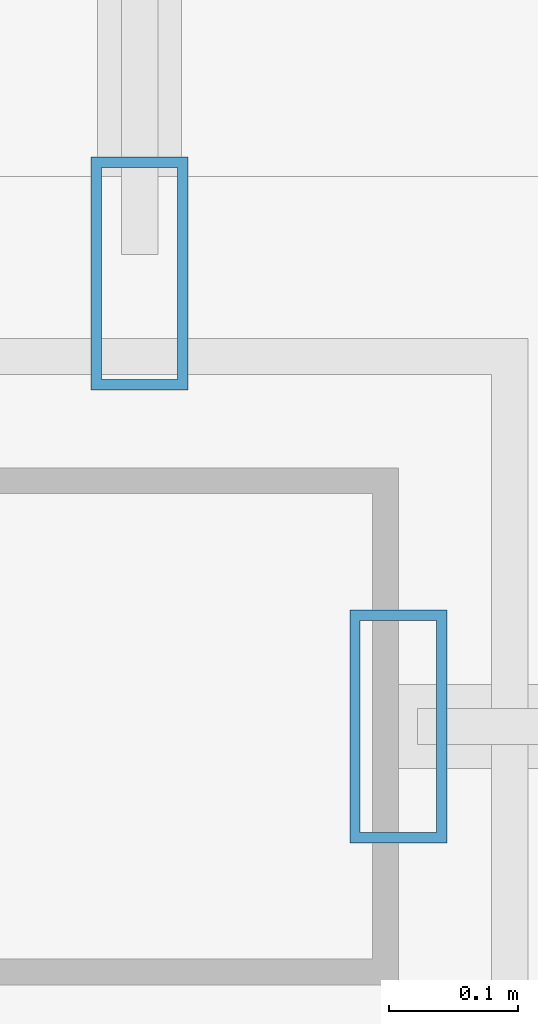
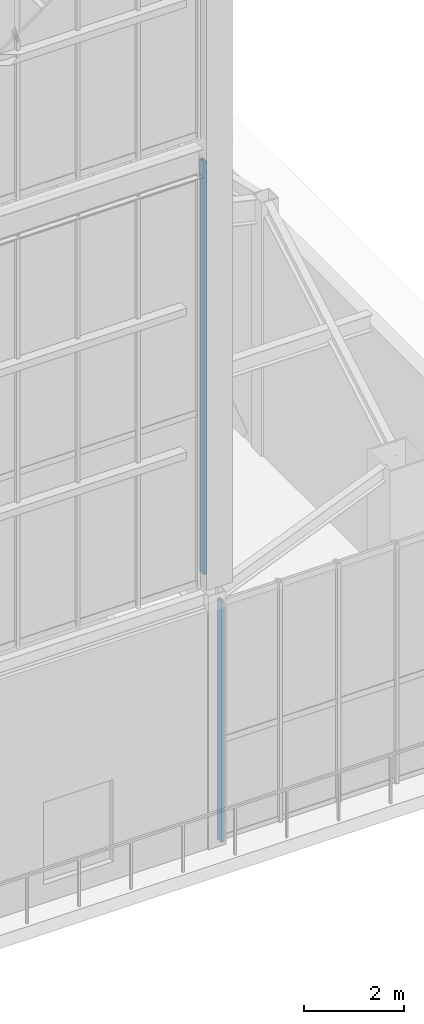
# One storey, part 45 of 135: 2 members, 2 elements without a shape of their own.
"""IFC4 building model written with IfcOpenShell, lengths in metres."""

import ifcopenshell
import ifcopenshell.guid

model = None  # the IFC model being written
_history = None  # IfcOwnerHistory: only IFC2X3 demands one
_inside = {}  # id of a spatial element -> (the spatial element, [elements in it])
_under = {}  # id of a project, library or spatial element -> (it, [spatial elements below it])
_declared = {}  # id of a project -> (the project, [libraries it declares])
_typed = {}  # id of a type object -> (the type object, [elements of that type])
_made_of = {}  # id of a material, layer set ... -> (it, [elements and type objects made of it])


def new_model(schema):
    """Start an empty IFC model of exactly this schema.

    Asked for "IFC4X3", IfcOpenShell would pick the latest addendum, in which some entities
    have other attributes; the version numbers below select the first issue.
    IFC2X3 requires an IfcOwnerHistory on every rooted entity: one is made here for all.
    """
    global model, _history
    if schema == "IFC4X3":
        model = ifcopenshell.file(schema_version=(4, 3, 0, 0))
    else:
        model = ifcopenshell.file(schema=schema)
    _inside.clear()
    _under.clear()
    _declared.clear()
    _typed.clear()
    _made_of.clear()
    _history = None
    if model.schema == "IFC2X3":
        org = make("IfcOrganization", Name="unknown")
        user = make(
            "IfcPersonAndOrganization",
            ThePerson=make("IfcPerson", FamilyName="unknown"),
            TheOrganization=org,
        )
        app = make(
            "IfcApplication",
            ApplicationDeveloper=org,
            Version="unknown",
            ApplicationFullName="unknown",
            ApplicationIdentifier="unknown",
        )
        _history = make(
            "IfcOwnerHistory",
            OwningUser=user,
            OwningApplication=app,
            ChangeAction="ADDED",
            CreationDate=0,
        )
    return model


def make(cls, **values):
    """One entity of the class cls with the attributes given. An attribute that is None is left unset."""
    return model.create_entity(
        cls, **{name: value for name, value in values.items() if value is not None}
    )


def rooted(cls, **values):
    """An entity with a GlobalId (a new one), such as an element, a storey or a relation."""
    return make(cls, GlobalId=ifcopenshell.guid.new(), OwnerHistory=_history, **values)


def si_unit(unit_type, name, prefix=None):
    """IfcSIUnit, for example si_unit("LENGTHUNIT", "METRE", prefix="MILLI")."""
    return make("IfcSIUnit", UnitType=unit_type, Prefix=prefix, Name=name)


def assignment(units):
    """IfcUnitAssignment: the units of a project."""
    return None if units is None else make("IfcUnitAssignment", Units=units)


def point(xyz):
    """IfcCartesianPoint."""
    return None if xyz is None else make("IfcCartesianPoint", Coordinates=xyz)


def direction(xyz):
    """IfcDirection."""
    return None if xyz is None else make("IfcDirection", DirectionRatios=xyz)


def frame(location, z_axis=None, x_axis=None):
    """IfcAxis2Placement3D, a coordinate frame: its origin and axes. An axis left out is left unset."""
    return make(
        "IfcAxis2Placement3D",
        Location=point(location),
        Axis=direction(z_axis),
        RefDirection=direction(x_axis),
    )


def frame_2d(location, x_axis=None):
    """IfcAxis2Placement2D, a coordinate frame in the plane: its origin and x axis."""
    return make(
        "IfcAxis2Placement2D", Location=point(location), RefDirection=direction(x_axis)
    )


def origin():
    """The frame at (0, 0, 0) with its axes left unset."""
    return frame((0.0, 0.0, 0.0))


def origin_2d():
    """The frame at (0, 0) in the plane with its x axis left unset."""
    return frame_2d((0.0, 0.0))


def place(relative_to, where):
    """IfcLocalPlacement: puts the frame where relative to a parent placement (None: the world)."""
    return make(
        "IfcLocalPlacement", PlacementRelTo=relative_to, RelativePlacement=where
    )


def context(
    kind, dimensions, precision=None, world=None, true_north=None, identifier=None
):
    """IfcGeometricRepresentationContext, for example the 3D "Model" context."""
    return make(
        "IfcGeometricRepresentationContext",
        ContextIdentifier=identifier,
        ContextType=kind,
        CoordinateSpaceDimension=dimensions,
        Precision=precision,
        WorldCoordinateSystem=world,
        TrueNorth=true_north,
    )


def subcontext(parent, identifier, kind, view, scale=None):
    """IfcGeometricRepresentationSubContext, for example "Body" below "Model"."""
    return make(
        "IfcGeometricRepresentationSubContext",
        ContextIdentifier=identifier,
        ContextType=kind,
        ParentContext=parent,
        TargetScale=scale,
        TargetView=view,
    )


def project(units=None, contexts=None):
    """IfcProject with its units and contexts."""
    return rooted(
        "IfcProject",
        Name="project",
        RepresentationContexts=contexts,
        UnitsInContext=assignment(units),
    )


def spatial(cls, under=None, at=None, **own):
    """A site, building, storey or space (cls), placed at a placement, below another one or the project."""
    s = rooted(cls, ObjectPlacement=at, **own)
    if under is not None:
        _under.setdefault(under.id(), (under, []))[1].append(s)
    return s


def profile(cls, at=None, kind="AREA", **sizes):
    """A parametric profile (cls). Its sizes go by their IFC names, for example OverallWidth=200.0."""
    return make(cls, ProfileType=kind, Position=at, **sizes)


def hollow_rectangle(**sizes):
    """IfcRectangleHollowProfileDef."""
    return profile("IfcRectangleHollowProfileDef", **sizes)


def extrude(swept, where, along, depth):
    """IfcExtrudedAreaSolid: the profile swept, set in the frame where, extruded along a direction by depth."""
    return make(
        "IfcExtrudedAreaSolid",
        SweptArea=swept,
        Position=where,
        ExtrudedDirection=direction(along),
        Depth=depth,
    )


def shape(context_of_items, identifier, shape_type, items):
    """IfcShapeRepresentation: the items that make up one representation, for example the "Body"."""
    return make(
        "IfcShapeRepresentation",
        ContextOfItems=context_of_items,
        RepresentationIdentifier=identifier,
        RepresentationType=shape_type,
        Items=items,
    )


def source(mapping_origin, context_of_items, identifier, shape_type, items):
    """IfcRepresentationMap: a shape defined once, which mapped items show again and again."""
    return make(
        "IfcRepresentationMap",
        MappingOrigin=mapping_origin,
        MappedRepresentation=shape(context_of_items, identifier, shape_type, items),
    )


def transform(
    local_origin,
    x_axis=None,
    y_axis=None,
    z_axis=None,
    scale=None,
    scale2=None,
    scale3=None,
    uniform=True,
):
    """IfcCartesianTransformationOperator3D, or its non-uniform kind. x_axis, y_axis, z_axis: its Axis1, 2, 3."""
    if uniform:
        return make(
            "IfcCartesianTransformationOperator3D",
            Axis1=direction(x_axis),
            Axis2=direction(y_axis),
            LocalOrigin=point(local_origin),
            Scale=scale,
            Axis3=direction(z_axis),
        )
    return make(
        "IfcCartesianTransformationOperator3DnonUniform",
        Axis1=direction(x_axis),
        Axis2=direction(y_axis),
        LocalOrigin=point(local_origin),
        Scale=scale,
        Axis3=direction(z_axis),
        Scale2=scale2,
        Scale3=scale3,
    )


def mapped(mapping_source, mapping_target):
    """IfcMappedItem: shows the shape of a source again, moved by a transform."""
    return make(
        "IfcMappedItem", MappingSource=mapping_source, MappingTarget=mapping_target
    )


def material(Name=None, Category=None):
    """IfcMaterial."""
    return make("IfcMaterial", Name=Name, Category=Category)


def layer(
    of_material, thickness, ventilated=None, Name=None, Category=None, Priority=None
):
    """IfcMaterialLayer: one layer of a wall or slab, of a material (None: an air gap)."""
    return make(
        "IfcMaterialLayer",
        Material=of_material,
        LayerThickness=thickness,
        IsVentilated=ventilated,
        Name=Name,
        Category=Category,
        Priority=Priority,
    )


def layer_set(layers, Name=None):
    """IfcMaterialLayerSet."""
    return make("IfcMaterialLayerSet", MaterialLayers=layers, LayerSetName=Name)


def material_profile(
    of_material, cross_section, Name=None, Category=None, Priority=None
):
    """IfcMaterialProfile: a cross section and its material."""
    return make(
        "IfcMaterialProfile",
        Name=Name,
        Material=of_material,
        Profile=cross_section,
        Priority=Priority,
        Category=Category,
    )


def profile_set(profiles, Name=None, composite=None):
    """IfcMaterialProfileSet."""
    return make(
        "IfcMaterialProfileSet",
        Name=Name,
        MaterialProfiles=profiles,
        CompositeProfile=composite,
    )


def made_of(thing, what):
    """Note that an element or type object is made of a material, layer set ...; save() writes the relation."""
    if what is not None:
        _made_of.setdefault(what.id(), (what, []))[1].append(thing)
    return thing


def type_object(cls, material=None, **own):
    """A type object (cls), such as IfcWallType, which elements share."""
    return made_of(rooted(cls, **own), material)


def element(
    cls,
    number,
    at=None,
    inside=None,
    cuts=None,
    type_object=None,
    material=None,
    context=None,
    identifier="Body",
    shape_type=None,
    held_by="IfcProductDefinitionShape",
    body=None,
    shapes=None,
    **own,
):
    """One element of the class cls, such as IfcWall. Its Tag is "e" and its number.

    at: its placement. inside: the storey or other place that contains it. cuts: it is an
    opening in that element (IfcRelVoidsElement). A single representation is given by context,
    identifier, shape_type and body (its items); several are given by shapes. held_by: the class
    of the entity that holds the representations. save() writes the other relations.
    """
    e = rooted(cls, Tag="e%d" % number, ObjectPlacement=at, **own)
    if body is not None:
        shapes = [shape(context, identifier, shape_type, body)]
    if shapes is not None:
        e.Representation = make(held_by, Representations=shapes)
    if inside is not None:
        _inside.setdefault(inside.id(), (inside, []))[1].append(e)
    if cuts is not None:
        rooted(
            "IfcRelVoidsElement", RelatingBuildingElement=cuts, RelatedOpeningElement=e
        )
    if type_object is not None:
        _typed.setdefault(type_object.id(), (type_object, []))[1].append(e)
    return made_of(e, material)


def aggregate(whole, parts):
    """IfcRelAggregates: a whole, such as a stair, and the parts it consists of."""
    return rooted("IfcRelAggregates", RelatingObject=whole, RelatedObjects=parts)


def save(model, path):
    """Write the relations noted so far, then the file.

    IfcRelAggregates (storeys below a building ...), IfcRelContainedInSpatialStructure (elements
    in a storey), IfcRelDefinesByType, IfcRelAssociatesMaterial and IfcRelDeclares: one each for
    every whole, place, type object, material and project.
    """
    for whole, parts in _under.values():
        aggregate(whole, parts)
    for where, things in _inside.values():
        rooted(
            "IfcRelContainedInSpatialStructure",
            RelatedElements=things,
            RelatingStructure=where,
        )
    for kind, things in _typed.values():
        rooted("IfcRelDefinesByType", RelatedObjects=things, RelatingType=kind)
    for what, things in _made_of.values():
        rooted("IfcRelAssociatesMaterial", RelatedObjects=things, RelatingMaterial=what)
    for by, libraries in _declared.values():
        rooted("IfcRelDeclares", RelatingContext=by, RelatedDefinitions=libraries)
    model.write(path)


model = new_model("IFC4")

# Units and contexts
model_context = context("Model", 3, precision=1e-05, world=origin(), true_north=direction((0.0, 1.0)))
body_context = subcontext(model_context, "Body", "Model", "MODEL_VIEW")
ifc_project = project(units=[si_unit("LENGTHUNIT", "METRE"), si_unit("AREAUNIT", "SQUARE_METRE"), si_unit("VOLUMEUNIT", "CUBIC_METRE"), si_unit("PLANEANGLEUNIT", "RADIAN"), si_unit("MASSUNIT", "GRAM", prefix="KILO")], contexts=[model_context])

# Site, building, storey
site_placement = place(None, origin())
site = spatial("IfcSite", under=ifc_project, at=site_placement, CompositionType="ELEMENT")
building_placement = place(site_placement, origin())
building = spatial("IfcBuilding", under=site, at=building_placement, Name="Giltprow Tower", CompositionType="ELEMENT")
storey_placement = place(building_placement, frame((0.0, 0.0, 352.699951171875)))
storey = spatial("IfcBuildingStorey", under=building, at=storey_placement, Name="L92", CompositionType="ELEMENT", Elevation=352.699951171875)

# Curtain wall, member
ifc_material = material(Name="Anodized bronze", Category="metal")
ifc_layer = layer(ifc_material, 0.179931640625, Name="Anodized bronze")
ifc_layer_set = layer_set([ifc_layer], Name="Anodized bronze")
curtain_wall_type = type_object("IfcCurtainWallType", Name="CW-CROWN-LANTERN", PredefinedType="NOTDEFINED", material=ifc_layer_set)
curtain_wall_1_placement = place(storey_placement, origin())
curtain_wall_1 = element("IfcCurtainWall", 1, at=curtain_wall_1_placement, inside=storey, type_object=curtain_wall_type, Name="L92 South Recessed Curtain Wall 6", PredefinedType="NOTDEFINED")
ifc_material_profile = material_profile(ifc_material, hollow_rectangle(XDim=0.074951171875, YDim=0.179931640625, WallThickness=0.008056640625, at=origin_2d()), Name="RHS 180x75x8")
ifc_profile_set = profile_set([ifc_material_profile], Name="Anodized bronze")
member_type = type_object("IfcMemberType", Name="CW-MULLION-180x75", PredefinedType="MULLION", material=ifc_profile_set)
shared_shape_1 = source(origin(), body_context, "Body", "SweptSolid", [
    extrude(hollow_rectangle(XDim=0.074951171875, YDim=0.179931640625, WallThickness=0.008056640625, at=origin_2d()), origin(), (0.0, 0.0, 1.0), 5.844970703125),
])
member_1_placement = place(storey_placement, frame((50.75, 23.5, -0.02001953125), z_axis=(0.0, 0.0, 1.0), x_axis=(1.0, 0.0, 0.0)))
member_1 = element("IfcMember", 2, at=member_1_placement, type_object=member_type, Name="L92 South Recessed Curtain Wall 6 Mullion 1", PredefinedType="MULLION", context=body_context, shape_type="MappedRepresentation", body=[
    mapped(shared_shape_1, transform((0.0, 0.0, 0.0), x_axis=(1.0, 0.0, 0.0), y_axis=(0.0, 1.0, 0.0), z_axis=(0.0, 0.0, 1.0), scale=1.0)),
])
aggregate(curtain_wall_1, [member_1])

curtain_wall_2_placement = place(storey_placement, origin())
curtain_wall_2 = element("IfcCurtainWall", 3, at=curtain_wall_2_placement, inside=storey, type_object=curtain_wall_type, Name="Crown East Lower Lantern Glazing 2", PredefinedType="NOTDEFINED")
shared_shape_2 = source(origin(), body_context, "Body", "SweptSolid", [
    extrude(hollow_rectangle(XDim=0.074951171875, YDim=0.179931640625, WallThickness=0.008056640625, at=origin_2d()), origin(), (0.0, 0.0, 1.0), 10.030029296875),
])
member_2_placement = place(storey_placement, frame((50.550048828125, 23.85009765625, 6.35009765625), z_axis=(0.0, 0.0, 1.0), x_axis=(1.0, 0.0, 0.0)))
member_2 = element("IfcMember", 4, at=member_2_placement, type_object=member_type, Name="Crown East Lower Lantern Glazing 2 Mullion 1", PredefinedType="MULLION", context=body_context, shape_type="MappedRepresentation", body=[
    mapped(shared_shape_2, transform((0.0, 0.0, 0.0), x_axis=(1.0, 0.0, 0.0), y_axis=(0.0, 1.0, 0.0), z_axis=(0.0, 0.0, 1.0), scale=1.0)),
])
aggregate(curtain_wall_2, [member_2])

save(model, "model.ifc")
